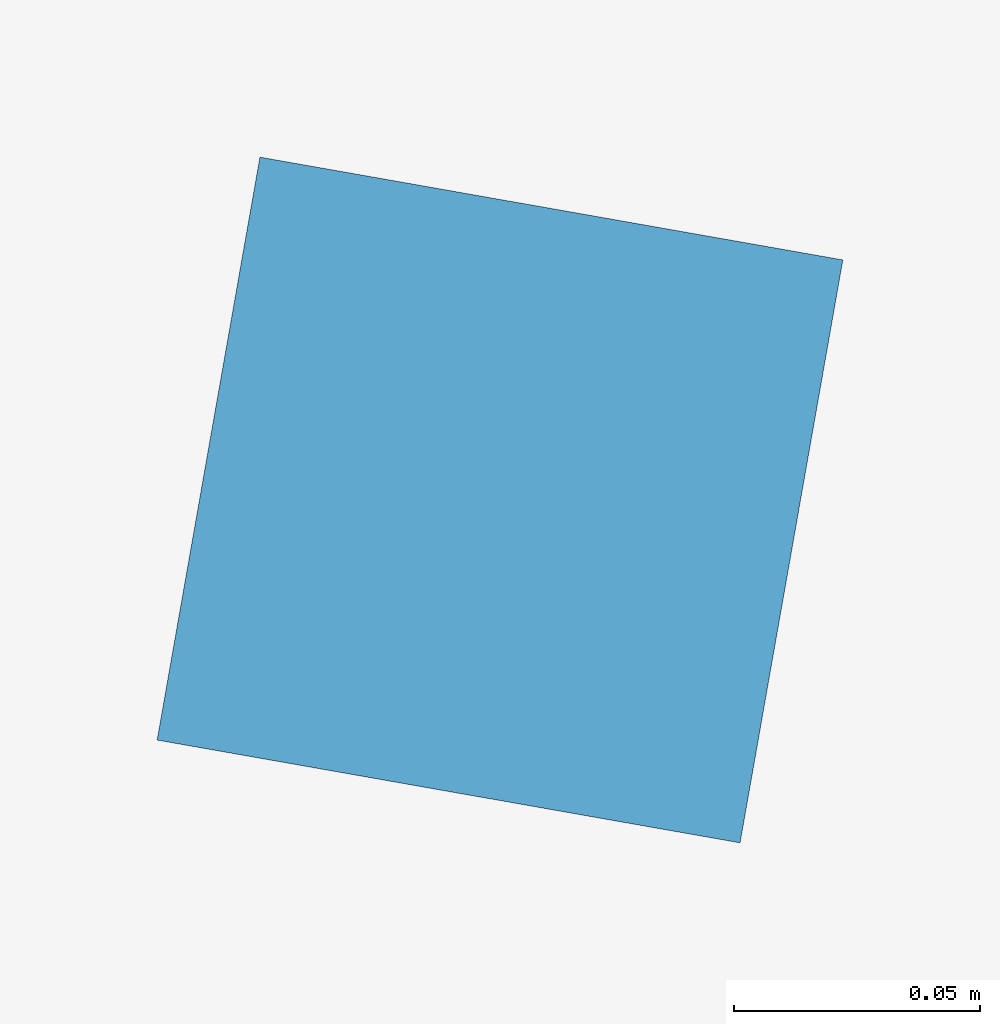
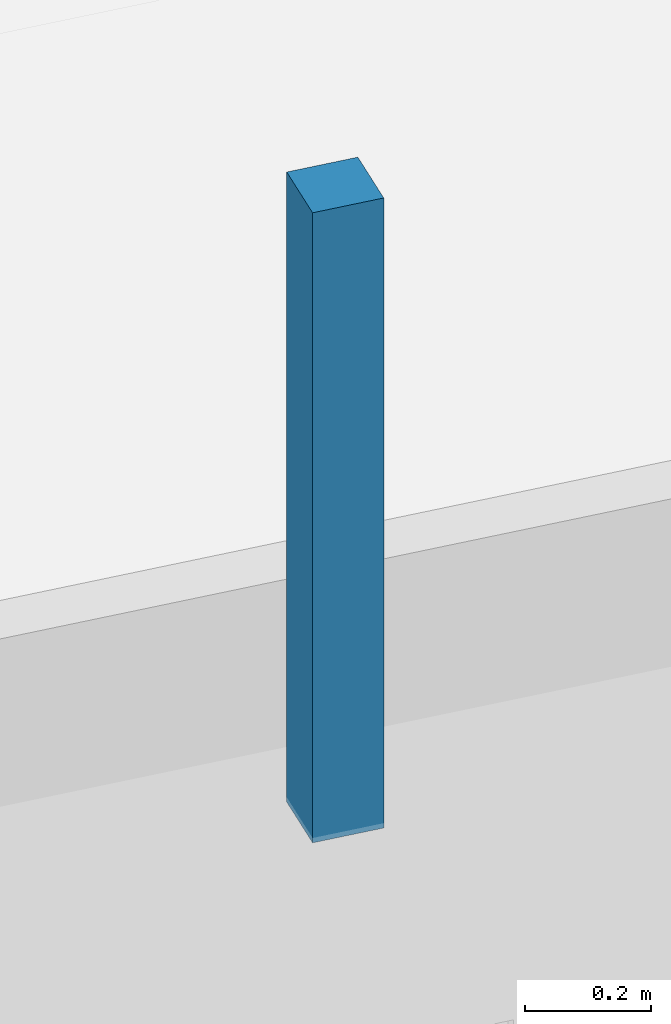
# One storey, part 21 of 24: 1 discrete accessory.
"""IFC4 building model written with IfcOpenShell, lengths in metres."""

from ifc_helpers import new_model, si_unit, direction, frame, origin, origin_2d, place, context, subcontext, project, spatial, rectangle, extrude, source, transform, mapped, material, type_object, element, save


model = new_model("IFC4")

# Units and contexts
model_context = context("Model", 3, precision=1e-05, world=origin(), true_north=direction((0.0, 1.0)))
body_context = subcontext(model_context, "Body", "Model", "MODEL_VIEW")
ifc_project = project(units=[si_unit("LENGTHUNIT", "METRE"), si_unit("AREAUNIT", "SQUARE_METRE"), si_unit("VOLUMEUNIT", "CUBIC_METRE"), si_unit("PLANEANGLEUNIT", "RADIAN"), si_unit("MASSUNIT", "GRAM", prefix="KILO")], contexts=[model_context])

# Site, building, storey
site_placement = place(None, origin())
site = spatial("IfcSite", under=ifc_project, at=site_placement, CompositionType="ELEMENT")
building_placement = place(site_placement, origin())
building = spatial("IfcBuilding", under=site, at=building_placement, Name="Torre Montelarca", CompositionType="ELEMENT")
storey_placement = place(building_placement, frame((0.0, 0.0, 79.0)))
storey = spatial("IfcBuildingStorey", under=building, at=storey_placement, Name="L17", CompositionType="ELEMENT", Elevation=79.0)

# Discrete accessory
ifc_material = material(Name="Galvanized steel suspension hanger", Category="steel")
discrete_accessory_type = type_object("IfcDiscreteAccessoryType", Name="ACC-CEIL-HNG", PredefinedType="BRACKET", material=ifc_material)
shared_shape = source(origin(), body_context, "Body", "SweptSolid", [
    extrude(rectangle(XDim=0.1201171875, YDim=0.1201171875, at=origin_2d()), origin(), (0.0, 0.0, 1.0), 1.219970703125),
])
discrete_accessory_placement = place(storey_placement, frame((32.6044921875, 34.509765625, 2.76025390625), z_axis=(0.0, 0.0, 1.0), x_axis=(-0.984807753012, 0.173648177667, 0.0)))
element("IfcDiscreteAccessory", 1, at=discrete_accessory_placement, inside=storey, type_object=discrete_accessory_type, Name="L17 Suspended Ceiling Hanger Bracket 01", PredefinedType="BRACKET", context=body_context, shape_type="MappedRepresentation", body=[
    mapped(shared_shape, transform((0.0, 0.0, 0.0), scale=1.0)),
])

save(model, "model.ifc")
